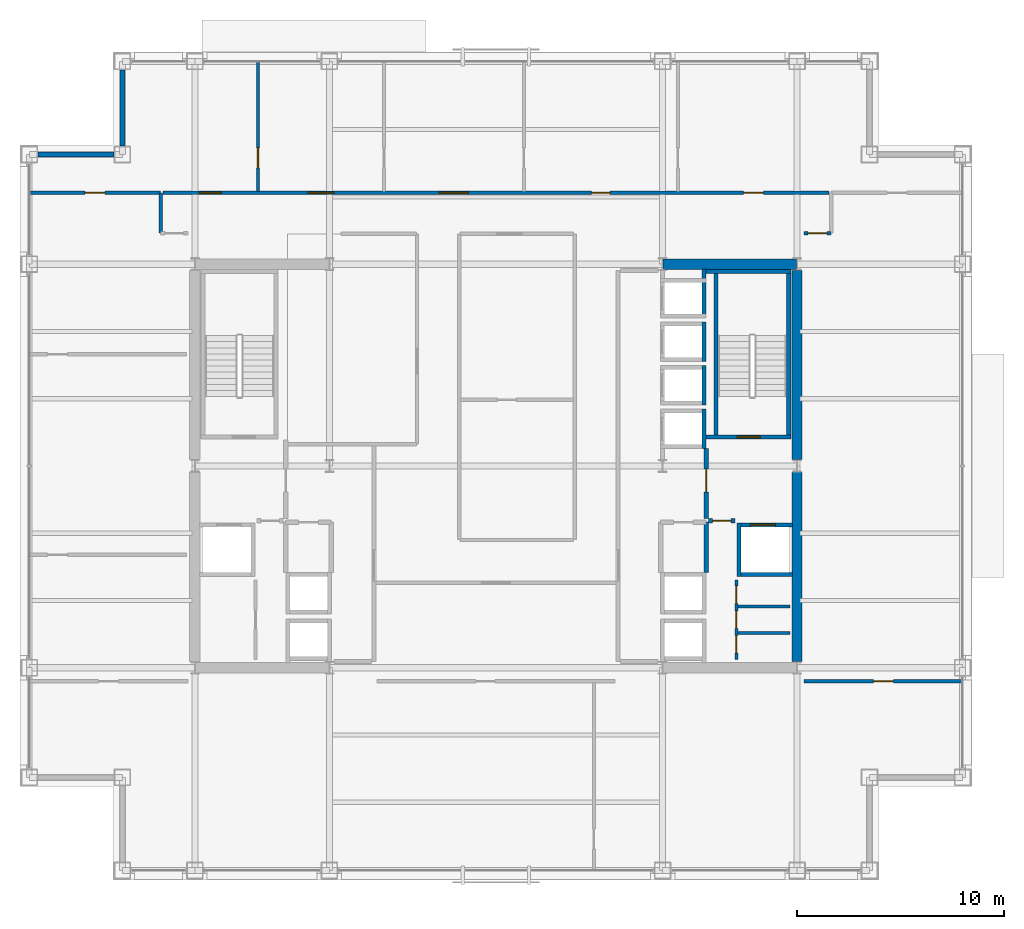
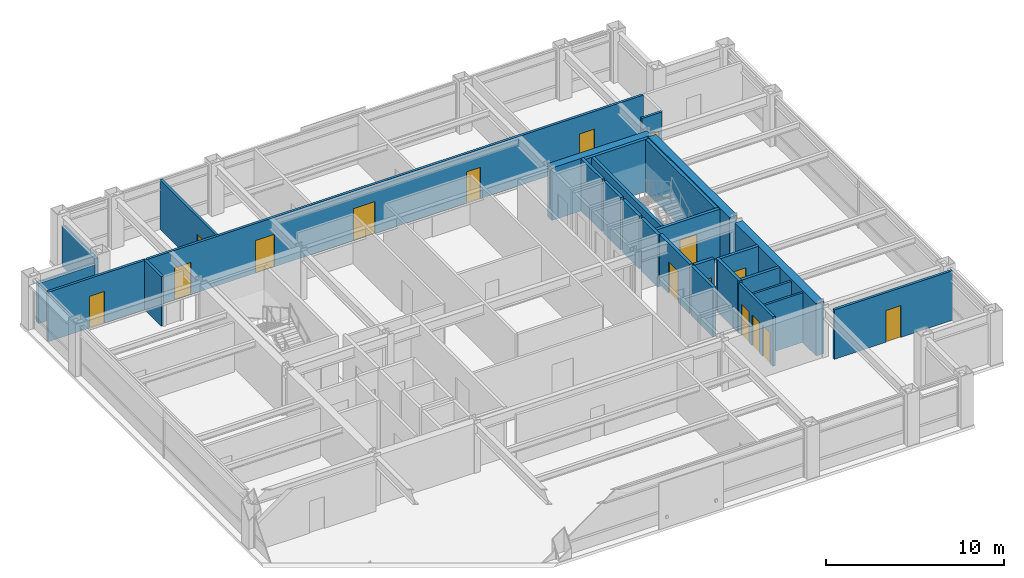
# One storey, part 26 of 28: 28 walls, 16 doors, 16 openings.
"""IFC4 building model written with IfcOpenShell, lengths in metres."""

from ifc_helpers import new_model, si_unit, direction, frame, frame_2d, origin, place, context, subcontext, project, spatial, rectangle, extrude, material, layer, layer_set, type_object, element, fill, save


model = new_model("IFC4")

# Units and contexts
model_context = context("Model", 3, precision=1e-05, world=origin(), true_north=direction((0.0, 1.0)))
body_context = subcontext(model_context, "Body", "Model", "MODEL_VIEW")
ifc_project = project(units=[si_unit("LENGTHUNIT", "METRE"), si_unit("AREAUNIT", "SQUARE_METRE"), si_unit("VOLUMEUNIT", "CUBIC_METRE"), si_unit("PLANEANGLEUNIT", "RADIAN"), si_unit("MASSUNIT", "GRAM", prefix="KILO")], contexts=[model_context])

# Site, building, storey
site_placement = place(None, origin())
site = spatial("IfcSite", under=ifc_project, at=site_placement, CompositionType="ELEMENT")
building_placement = place(site_placement, origin())
building = spatial("IfcBuilding", under=site, at=building_placement, Name="Brelmoor Portico Tower", CompositionType="ELEMENT")
storey_placement = place(building_placement, frame((0.0, 0.0, 142.199951171875)))
storey = spatial("IfcBuildingStorey", under=building, at=storey_placement, Name="L37", CompositionType="ELEMENT", Elevation=142.199951171875)

# Walls
ifc_material_1 = material(Name="Concrete C60", Category="concrete")
ifc_layer_1 = layer(ifc_material_1, 0.5)
ifc_layer_set_1 = layer_set([ifc_layer_1], Name="Concrete C60")
wall_type_1 = type_object("IfcWallType", Name="WL-CORE-500", PredefinedType="SHEAR", material=ifc_layer_set_1)
wall_1_placement = place(storey_placement, frame((8.070068359375, 9.75, -0.199951171875), z_axis=(0.0, 0.0, 1.0), x_axis=(1.0, 0.0, 0.0)))
element("IfcWall", 1, at=wall_1_placement, inside=storey, type_object=wall_type_1, Name="L37 EC North Shear Wall", PredefinedType="SHEAR", context=body_context, shape_type="SweptSolid", body=[
    extrude(rectangle(XDim=6.4599609375, YDim=0.5, at=frame_2d((3.22998046875, 0.0))), origin(), (0.0, 0.0, 1.0), 3.60009765625),
])
for number, where, z_axis, x_axis, name in (
    (2, (14.550048828125, -9.449951171875, -0.199951171875), (0.0, 0.0, 1.0), (0.0, 1.0, 0.0), "L37 EC Outer South Shear Wall"),
    (3, (14.550048828125, 0.300048828125, -0.199951171875), (0.0, 0.0, 1.0), (0.0, 1.0, 0.0), "L37 EC Outer North Shear Wall"),
):
    element("IfcWall", number, at=place(storey_placement, frame(where, z_axis=z_axis, x_axis=x_axis)), inside=storey, type_object=wall_type_1, Name=name, PredefinedType="SHEAR", context=body_context, shape_type="SweptSolid", body=[
        extrude(rectangle(XDim=9.14990234375, YDim=0.5, at=frame_2d((4.574951171875, 0.0))), origin(), (0.0, 0.0, 1.0), 3.60009765625),
    ])
ifc_material_2 = material(Name="Precast Concrete C40 Insulated Facade Wall", Category="concrete")
ifc_layer_2 = layer(ifc_material_2, 0.25)
ifc_layer_set_2 = layer_set([ifc_layer_2], Name="Precast Concrete C40 Insulated Facade Wall")
wall_type_2 = type_object("IfcWallType", Name="WL-EXT-250", PredefinedType="STANDARD", material=ifc_layer_set_2)
for number, where, z_axis, x_axis, name in (
    (4, (-22.139892578125, 15.050048828125, 0.0), (0.0, 0.0, 1.0), (1.0, 0.0, 0.0), "L37 Corner Notch Facade Wall NNWH1"),
    (5, (-18.050048828125, 15.4599609375, 0.0), (0.0, 0.0, 1.0), (0.0, 1.0, 0.0), "L37 Corner Notch Facade Wall NNWV1"),
):
    element("IfcWall", number, at=place(storey_placement, frame(where, z_axis=z_axis, x_axis=x_axis)), inside=storey, type_object=wall_type_2, Name=name, PredefinedType="STANDARD", context=body_context, shape_type="SweptSolid", body=[
        extrude(rectangle(XDim=3.679931640625, YDim=0.25, at=frame_2d((1.83984375, 0.0))), origin(), (0.0, 0.0, 1.0), 2.75),
    ])
ifc_material_3 = material(Name="Insulated Stud Suite Partition", Category="gypsum")
ifc_layer_3 = layer(ifc_material_3, 0.139892578125)
ifc_layer_set_3 = layer_set([ifc_layer_3], Name="Insulated Stud Suite Partition")
wall_type_3 = type_object("IfcWallType", Name="WL-PART-140", PredefinedType="PARTITIONING", material=ifc_layer_set_3)
for number, where, z_axis, x_axis, name in (
    (6, (11.699951171875, -8.066650390625, 0.0), (0.0, 0.0, 1.0), (1.0, 0.0, 0.0), "L37 E Core WC Divider 1"),
    (7, (11.699951171875, -6.783203125, 0.0), (0.0, 0.0, 1.0), (1.0, 0.0, 0.0), "L37 E Core WC Divider 2"),
):
    element("IfcWall", number, at=place(storey_placement, frame(where, z_axis=z_axis, x_axis=x_axis)), inside=storey, type_object=wall_type_3, Name=name, PredefinedType="PARTITIONING", context=body_context, shape_type="SweptSolid", body=[
        extrude(rectangle(XDim=2.5, YDim=0.139892578125, at=frame_2d((1.25, 0.0))), origin(), (0.0, 0.0, 1.0), 3.400146484375),
    ])

# Wall, openings, doors
ifc_material_4 = material(Name="Twin-Frame Acoustic Partition", Category="gypsum")
ifc_layer_4 = layer(ifc_material_4, 0.159912109375)
ifc_layer_set_4 = layer_set([ifc_layer_4], Name="Twin-Frame Acoustic Partition")
wall_type_4 = type_object("IfcWallType", Name="WL-PART-160", PredefinedType="PARTITIONING", material=ifc_layer_set_4)
wall_2_placement = place(storey_placement, frame((11.6201171875, -9.35009765625, 0.0), z_axis=(0.0, 0.0, 1.0), x_axis=(0.0, 1.0, 0.0)))
wall_2 = element("IfcWall", 8, at=wall_2_placement, inside=storey, type_object=wall_type_4, Name="L37 E Core Service Front Wall", PredefinedType="PARTITIONING", context=body_context, shape_type="SweptSolid", body=[
    extrude(rectangle(XDim=3.85009765625, YDim=0.159912109375, at=frame_2d((1.925048828125, 0.0))), origin(), (0.0, 0.0, 1.0), 3.400146484375),
])
opening_1_placement = place(wall_2_placement, frame((0.300048828125, 0.0, 0.0)))
opening_1 = element("IfcOpeningElement", 9, at=opening_1_placement, cuts=wall_2, Name="Opening D-WC1", PredefinedType="OPENING", context=body_context, shape_type="SweptSolid", body=[
    extrude(rectangle(XDim=0.85009765625, YDim=2.1201171875, at=frame_2d((0.425048828125, 1.06005859375))), frame((0.0, 0.08984375, 0.0), z_axis=(0.0, -1.0, 0.0), x_axis=(1.0, 0.0, 0.0)), (0.0, 0.0, 1.0), 0.179931640625),
])
opening_2_placement = place(wall_2_placement, frame((1.5, 0.0, 0.0)))
opening_2 = element("IfcOpeningElement", 10, at=opening_2_placement, cuts=wall_2, Name="Opening D-WC1", PredefinedType="OPENING", context=body_context, shape_type="SweptSolid", body=[
    extrude(rectangle(XDim=0.85009765625, YDim=2.1201171875, at=frame_2d((0.425048828125, 1.06005859375))), frame((0.0, 0.08984375, 0.0), z_axis=(0.0, -1.0, 0.0), x_axis=(1.0, 0.0, 0.0)), (0.0, 0.0, 1.0), 0.179931640625),
])
opening_3_placement = place(wall_2_placement, frame((2.699951171875, 0.0, 0.0)))
opening_3 = element("IfcOpeningElement", 11, at=opening_3_placement, cuts=wall_2, Name="Opening D-WC1", PredefinedType="OPENING", context=body_context, shape_type="SweptSolid", body=[
    extrude(rectangle(XDim=0.85009765625, YDim=2.1201171875, at=frame_2d((0.425048828125, 1.06005859375))), frame((0.0, 0.08984375, 0.0), z_axis=(0.0, -1.0, 0.0), x_axis=(1.0, 0.0, 0.0)), (0.0, 0.0, 1.0), 0.179931640625),
])
ifc_material_5 = material(Name="Moisture-Resistant Laminate WC Door", Category="timber")
door_type_1 = type_object("IfcDoorType", Name="DR-WC-850", OperationType="NOTDEFINED", PredefinedType="DOOR", material=ifc_material_5)
door_1_placement = place(opening_1_placement, origin())
door_1 = element("IfcDoor", 12, at=door_1_placement, inside=storey, type_object=door_type_1, Name="D-1603 L37 E Male WC Door", OperationType="SINGLE_SWING_RIGHT", OverallHeight=2.1201171875, OverallWidth=0.85009765625, PredefinedType="DOOR", context=body_context, shape_type="SweptSolid", body=[
    extrude(rectangle(XDim=0.85009765625, YDim=2.1201171875, at=frame_2d((0.425048828125, 1.06005859375))), frame((0.0, 0.02490234375, 0.0), z_axis=(0.0, -1.0, 0.0), x_axis=(1.0, 0.0, 0.0)), (0.0, 0.0, 1.0), 0.050048828125),
])
fill(opening_1, door_1)
door_2_placement = place(opening_2_placement, origin())
door_2 = element("IfcDoor", 13, at=door_2_placement, inside=storey, type_object=door_type_1, Name="D-1604 L37 E Female WC Door", OperationType="SINGLE_SWING_LEFT", OverallHeight=2.1201171875, OverallWidth=0.85009765625, PredefinedType="DOOR", context=body_context, shape_type="SweptSolid", body=[
    extrude(rectangle(XDim=0.85009765625, YDim=2.1201171875, at=frame_2d((0.425048828125, 1.06005859375))), frame((0.0, 0.02490234375, 0.0), z_axis=(0.0, -1.0, 0.0), x_axis=(1.0, 0.0, 0.0)), (0.0, 0.0, 1.0), 0.050048828125),
])
fill(opening_2, door_2)
door_3_placement = place(opening_3_placement, origin())
door_3 = element("IfcDoor", 14, at=door_3_placement, inside=storey, type_object=door_type_1, Name="D-1605 L37 E Janitor Store Door", OperationType="SINGLE_SWING_RIGHT", OverallHeight=2.1201171875, OverallWidth=0.85009765625, PredefinedType="DOOR", context=body_context, shape_type="SweptSolid", body=[
    extrude(rectangle(XDim=0.85009765625, YDim=2.1201171875, at=frame_2d((0.425048828125, 1.06005859375))), frame((0.0, 0.02490234375, 0.0), z_axis=(0.0, -1.0, 0.0), x_axis=(1.0, 0.0, 0.0)), (0.0, 0.0, 1.0), 0.050048828125),
])
fill(opening_3, door_3)

# Wall, opening, door
wall_3_placement = place(storey_placement, frame((-11.498779296875, 13.260009765625, 0.0), z_axis=(0.0, 0.0, 1.0), x_axis=(0.0, 1.0, 0.0)))
wall_3 = element("IfcWall", 15, at=wall_3_placement, inside=storey, type_object=wall_type_4, Name="L37 North Suite Partition 1", PredefinedType="PARTITIONING", context=body_context, shape_type="SweptSolid", body=[
    extrude(rectangle(XDim=6.300048828125, YDim=0.159912109375, at=frame_2d((3.14990234375, 0.0))), origin(), (0.0, 0.0, 1.0), 3.400146484375),
])
opening_4_placement = place(wall_3_placement, frame((1.14990234375, 0.0, 0.0)))
opening_4 = element("IfcOpeningElement", 16, at=opening_4_placement, cuts=wall_3, Name="Opening D-IN2", PredefinedType="OPENING", context=body_context, shape_type="SweptSolid", body=[
    extrude(rectangle(XDim=0.9599609375, YDim=2.179931640625, at=frame_2d((0.47998046875, 1.08984375))), frame((0.0, 0.08984375, 0.0), z_axis=(0.0, -1.0, 0.0), x_axis=(1.0, 0.0, 0.0)), (0.0, 0.0, 1.0), 0.179931640625),
])
ifc_material_6 = material(Name="Lacquered Timber Suite Door", Category="wood")
door_type_2 = type_object("IfcDoorType", Name="DR-INT-950", OperationType="NOTDEFINED", PredefinedType="DOOR", material=ifc_material_6)
door_4_placement = place(opening_4_placement, origin())
door_4 = element("IfcDoor", 17, at=door_4_placement, inside=storey, type_object=door_type_2, Name="D-1620 L37 North Suite Connecting Door 1", OperationType="SINGLE_SWING_RIGHT", OverallHeight=2.179931640625, OverallWidth=0.9599609375, PredefinedType="DOOR", context=body_context, shape_type="SweptSolid", body=[
    extrude(rectangle(XDim=0.9599609375, YDim=2.179931640625, at=frame_2d((0.47998046875, 1.08984375))), frame((0.0, 0.02490234375, 0.0), z_axis=(0.0, -1.0, 0.0), x_axis=(1.0, 0.0, 0.0)), (0.0, 0.0, 1.0), 0.050048828125),
])
fill(opening_4, door_4)

# Wall, openings, doors
wall_4_placement = place(storey_placement, frame((-16.10009765625, 13.199951171875, 0.0), z_axis=(0.0, 0.0, 1.0), x_axis=(1.0, 0.0, 0.0)))
wall_4 = element("IfcWall", 18, at=wall_4_placement, inside=storey, type_object=wall_type_4, Name="L37 North Corridor Partition", PredefinedType="PARTITIONING", context=body_context, shape_type="SweptSolid", body=[
    extrude(rectangle(XDim=32.2001953125, YDim=0.159912109375, at=frame_2d((16.10009765625, 0.0))), origin(), (0.0, 0.0, 1.0), 3.400146484375),
])
opening_5_placement = place(wall_4_placement, frame((1.7705078125, 0.0, 0.0)))
opening_5 = element("IfcOpeningElement", 19, at=opening_5_placement, cuts=wall_4, Name="Opening D-OF2", PredefinedType="OPENING", context=body_context, shape_type="SweptSolid", body=[
    extrude(rectangle(XDim=1.06005859375, YDim=2.199951171875, at=frame_2d((0.530029296875, 1.10009765625))), frame((0.0, 0.08984375, 0.0), z_axis=(0.0, -1.0, 0.0), x_axis=(1.0, 0.0, 0.0)), (0.0, 0.0, 1.0), 0.179931640625),
])
opening_6_placement = place(wall_4_placement, frame((7.02490234375, 0.0, 0.0)))
opening_6 = element("IfcOpeningElement", 20, at=opening_6_placement, cuts=wall_4, Name="Opening D-SU1", PredefinedType="OPENING", context=body_context, shape_type="SweptSolid", body=[
    extrude(rectangle(XDim=1.239990234375, YDim=2.239990234375, at=frame_2d((0.6201171875, 1.1201171875))), frame((0.0, 0.08984375, 0.0), z_axis=(0.0, -1.0, 0.0), x_axis=(1.0, 0.0, 0.0)), (0.0, 0.0, 1.0), 0.179931640625),
])
opening_7_placement = place(wall_4_placement, frame((13.370849609375, 0.0, 0.0)))
opening_7 = element("IfcOpeningElement", 21, at=opening_7_placement, cuts=wall_4, Name="Opening D-SU2", PredefinedType="OPENING", context=body_context, shape_type="SweptSolid", body=[
    extrude(rectangle(XDim=1.39990234375, YDim=2.199951171875, at=frame_2d((0.699951171875, 1.10009765625))), frame((0.0, 0.08984375, 0.0), z_axis=(0.0, -1.0, 0.0), x_axis=(1.0, 0.0, 0.0)), (0.0, 0.0, 1.0), 0.179931640625),
])
opening_8_placement = place(wall_4_placement, frame((20.722900390625, 0.0, 0.0)))
opening_8 = element("IfcOpeningElement", 22, at=opening_8_placement, cuts=wall_4, Name="Opening D-IN1", PredefinedType="OPENING", context=body_context, shape_type="SweptSolid", body=[
    extrude(rectangle(XDim=0.89990234375, YDim=2.14990234375, at=frame_2d((0.449951171875, 1.074951171875))), frame((0.0, 0.08984375, 0.0), z_axis=(0.0, -1.0, 0.0), x_axis=(1.0, 0.0, 0.0)), (0.0, 0.0, 1.0), 0.179931640625),
])
opening_9_placement = place(wall_4_placement, frame((28.066650390625, 0.0, 0.0)))
opening_9 = element("IfcOpeningElement", 23, at=opening_9_placement, cuts=wall_4, Name="Opening D-IN2", PredefinedType="OPENING", context=body_context, shape_type="SweptSolid", body=[
    extrude(rectangle(XDim=0.9599609375, YDim=2.179931640625, at=frame_2d((0.47998046875, 1.08984375))), frame((0.0, 0.08984375, 0.0), z_axis=(0.0, -1.0, 0.0), x_axis=(1.0, 0.0, 0.0)), (0.0, 0.0, 1.0), 0.179931640625),
])
door_type_3 = type_object("IfcDoorType", Name="DR-INT-900", OperationType="NOTDEFINED", PredefinedType="DOOR", material=ifc_material_6)
door_5_placement = place(opening_8_placement, origin())
door_5 = element("IfcDoor", 24, at=door_5_placement, inside=storey, type_object=door_type_3, Name="D-1618 L37 North First-Aid Consultation 4 Door", OperationType="SINGLE_SWING_RIGHT", OverallHeight=2.14990234375, OverallWidth=0.89990234375, PredefinedType="DOOR", context=body_context, shape_type="SweptSolid", body=[
    extrude(rectangle(XDim=0.89990234375, YDim=2.14990234375, at=frame_2d((0.449951171875, 1.074951171875))), frame((0.0, 0.02490234375, 0.0), z_axis=(0.0, -1.0, 0.0), x_axis=(1.0, 0.0, 0.0)), (0.0, 0.0, 1.0), 0.050048828125),
])
fill(opening_8, door_5)
door_6_placement = place(opening_9_placement, origin())
door_6 = element("IfcDoor", 25, at=door_6_placement, inside=storey, type_object=door_type_2, Name="D-1619 L37 North Project Mail Room 5 Door", OperationType="SINGLE_SWING_LEFT", OverallHeight=2.179931640625, OverallWidth=0.9599609375, PredefinedType="DOOR", context=body_context, shape_type="SweptSolid", body=[
    extrude(rectangle(XDim=0.9599609375, YDim=2.179931640625, at=frame_2d((0.47998046875, 1.08984375))), frame((0.0, 0.02490234375, 0.0), z_axis=(0.0, -1.0, 0.0), x_axis=(1.0, 0.0, 0.0)), (0.0, 0.0, 1.0), 0.050048828125),
])
fill(opening_9, door_6)
ifc_material_7 = material(Name="Hardwood Acoustic Veneer Door", Category="wood")
door_type_4 = type_object("IfcDoorType", Name="DR-OFFICE-1050", OperationType="NOTDEFINED", PredefinedType="DOOR", material=ifc_material_7)
door_7_placement = place(opening_5_placement, origin())
door_7 = element("IfcDoor", 26, at=door_7_placement, inside=storey, type_object=door_type_4, Name="D-1615 L37 North Open-Plan Office 1 Door", OperationType="SINGLE_SWING_RIGHT", OverallHeight=2.199951171875, OverallWidth=1.06005859375, PredefinedType="DOOR", context=body_context, shape_type="SweptSolid", body=[
    extrude(rectangle(XDim=1.06005859375, YDim=2.199951171875, at=frame_2d((0.530029296875, 1.10009765625))), frame((0.0, 0.02490234375, 0.0), z_axis=(0.0, -1.0, 0.0), x_axis=(1.0, 0.0, 0.0)), (0.0, 0.0, 1.0), 0.050048828125),
])
fill(opening_5, door_7)
ifc_material_8 = material(Name="Glazed Timber Executive Suite Door", Category="wood")
door_type_5 = type_object("IfcDoorType", Name="DR-SUITE-1200", OperationType="NOTDEFINED", PredefinedType="DOOR", material=ifc_material_8)
door_8_placement = place(opening_6_placement, origin())
door_8 = element("IfcDoor", 27, at=door_8_placement, inside=storey, type_object=door_type_5, Name="D-1616 L37 North Partner Office 2 Door", OperationType="SINGLE_SWING_LEFT", OverallHeight=2.239990234375, OverallWidth=1.239990234375, PredefinedType="DOOR", context=body_context, shape_type="SweptSolid", body=[
    extrude(rectangle(XDim=1.239990234375, YDim=2.239990234375, at=frame_2d((0.6201171875, 1.1201171875))), frame((0.0, 0.02490234375, 0.0), z_axis=(0.0, -1.0, 0.0), x_axis=(1.0, 0.0, 0.0)), (0.0, 0.0, 1.0), 0.050048828125),
])
fill(opening_6, door_8)
ifc_material_9 = material(Name="Double-Leaf Acoustic Suite Door", Category="timber")
door_type_6 = type_object("IfcDoorType", Name="DR-SUITE-1400", OperationType="NOTDEFINED", PredefinedType="DOOR", material=ifc_material_9)
door_9_placement = place(opening_7_placement, origin())
door_9 = element("IfcDoor", 28, at=door_9_placement, inside=storey, type_object=door_type_6, Name="D-1617 L37 North Cellular Office 3 Door", OperationType="DOUBLE_DOOR_SINGLE_SWING", OverallHeight=2.199951171875, OverallWidth=1.39990234375, PredefinedType="DOOR", context=body_context, shape_type="SweptSolid", body=[
    extrude(rectangle(XDim=1.39990234375, YDim=2.199951171875, at=frame_2d((0.699951171875, 1.10009765625))), frame((0.0, 0.02490234375, 0.0), z_axis=(0.0, -1.0, 0.0), x_axis=(1.0, 0.0, 0.0)), (0.0, 0.0, 1.0), 0.050048828125),
])
fill(opening_7, door_9)

# Wall, opening, door
wall_5_placement = place(storey_placement, frame((-22.56005859375, 13.199951171875, 0.0), z_axis=(0.0, 0.0, 1.0), x_axis=(1.0, 0.0, 0.0)))
wall_5 = element("IfcWall", 29, at=wall_5_placement, inside=storey, type_object=wall_type_4, Name="L37 North Wing Closure WL", PredefinedType="PARTITIONING", context=body_context, shape_type="SweptSolid", body=[
    extrude(rectangle(XDim=6.360107421875, YDim=0.159912109375, at=frame_2d((3.18017578125, 0.0))), origin(), (0.0, 0.0, 1.0), 3.400146484375),
])
opening_10_placement = place(wall_5_placement, frame((2.699951171875, 0.0, 0.0)))
opening_10 = element("IfcOpeningElement", 30, at=opening_10_placement, cuts=wall_5, Name="Opening D-IN2", PredefinedType="OPENING", context=body_context, shape_type="SweptSolid", body=[
    extrude(rectangle(XDim=0.9599609375, YDim=2.179931640625, at=frame_2d((0.47998046875, 1.08984375))), frame((0.0, 0.08984375, 0.0), z_axis=(0.0, -1.0, 0.0), x_axis=(1.0, 0.0, 0.0)), (0.0, 0.0, 1.0), 0.179931640625),
])
door_10_placement = place(opening_10_placement, origin())
door_10 = element("IfcDoor", 31, at=door_10_placement, inside=storey, type_object=door_type_2, Name="D-1625 L37 WL Wing North Suite Door", OperationType="SINGLE_SWING_RIGHT", OverallHeight=2.179931640625, OverallWidth=0.9599609375, PredefinedType="DOOR", context=body_context, shape_type="SweptSolid", body=[
    extrude(rectangle(XDim=0.9599609375, YDim=2.179931640625, at=frame_2d((0.47998046875, 1.08984375))), frame((0.0, 0.02490234375, 0.0), z_axis=(0.0, -1.0, 0.0), x_axis=(1.0, 0.0, 0.0)), (0.0, 0.0, 1.0), 0.050048828125),
])
fill(opening_10, door_10)

wall_6_placement = place(storey_placement, frame((14.8798828125, -10.39990234375, 0.0), z_axis=(0.0, 0.0, 1.0), x_axis=(1.0, 0.0, 0.0)))
wall_6 = element("IfcWall", 32, at=wall_6_placement, inside=storey, type_object=wall_type_4, Name="L37 South Wing Closure ER", PredefinedType="PARTITIONING", context=body_context, shape_type="SweptSolid", body=[
    extrude(rectangle(XDim=7.68017578125, YDim=0.159912109375, at=frame_2d((3.840087890625, 0.0))), origin(), (0.0, 0.0, 1.0), 3.400146484375),
])
opening_11_placement = place(wall_6_placement, frame((3.360107421875, 0.0, 0.0)))
opening_11 = element("IfcOpeningElement", 33, at=opening_11_placement, cuts=wall_6, Name="Opening D-IN2", PredefinedType="OPENING", context=body_context, shape_type="SweptSolid", body=[
    extrude(rectangle(XDim=0.9599609375, YDim=2.179931640625, at=frame_2d((0.47998046875, 1.08984375))), frame((0.0, 0.08984375, 0.0), z_axis=(0.0, -1.0, 0.0), x_axis=(1.0, 0.0, 0.0)), (0.0, 0.0, 1.0), 0.179931640625),
])
door_11_placement = place(opening_11_placement, origin())
door_11 = element("IfcDoor", 34, at=door_11_placement, inside=storey, type_object=door_type_2, Name="D-1631 L37 ER Wing South Suite Door", OperationType="SINGLE_SWING_LEFT", OverallHeight=2.179931640625, OverallWidth=0.9599609375, PredefinedType="DOOR", context=body_context, shape_type="SweptSolid", body=[
    extrude(rectangle(XDim=0.9599609375, YDim=2.179931640625, at=frame_2d((0.47998046875, 1.08984375))), frame((0.0, 0.02490234375, 0.0), z_axis=(0.0, -1.0, 0.0), x_axis=(1.0, 0.0, 0.0)), (0.0, 0.0, 1.0), 0.050048828125),
])
fill(opening_11, door_11)

# Wall
wall_7_placement = place(storey_placement, frame((-16.199951171875, 11.25, 0.0), z_axis=(0.0, 0.0, 1.0), x_axis=(0.0, 1.0, 0.0)))
element("IfcWall", 35, at=wall_7_placement, inside=storey, type_object=wall_type_4, Name="L37 W Corridor End Closure", PredefinedType="PARTITIONING", context=body_context, shape_type="SweptSolid", body=[
    extrude(rectangle(XDim=1.949951171875, YDim=0.159912109375, at=frame_2d((0.97509765625, 0.0))), origin(), (0.0, 0.0, 1.0), 3.400146484375),
])

# Wall, opening, door
wall_8_placement = place(storey_placement, frame((14.8798828125, 11.25, 0.0), z_axis=(0.0, 0.0, 1.0), x_axis=(1.0, 0.0, 0.0)))
wall_8 = element("IfcWall", 36, at=wall_8_placement, inside=storey, type_object=wall_type_4, Name="L37 E Wing North Entry Wall", PredefinedType="PARTITIONING", context=body_context, shape_type="SweptSolid", body=[
    extrude(rectangle(XDim=1.320068359375, YDim=0.159912109375, at=frame_2d((0.66015625, 0.0))), origin(), (0.0, 0.0, 1.0), 3.400146484375),
])
opening_12_placement = place(wall_8_placement, frame((0.2099609375, 0.0, 0.0)))
opening_12 = element("IfcOpeningElement", 37, at=opening_12_placement, cuts=wall_8, Name="Opening D-IN1", PredefinedType="OPENING", context=body_context, shape_type="SweptSolid", body=[
    extrude(rectangle(XDim=0.89990234375, YDim=2.14990234375, at=frame_2d((0.449951171875, 1.074951171875))), frame((0.0, 0.08984375, 0.0), z_axis=(0.0, -1.0, 0.0), x_axis=(1.0, 0.0, 0.0)), (0.0, 0.0, 1.0), 0.179931640625),
])
door_12_placement = place(opening_12_placement, origin())
door_12 = element("IfcDoor", 38, at=door_12_placement, inside=storey, type_object=door_type_3, Name="D-1633 L37 E Wing Entry Door", OperationType="SINGLE_SWING_LEFT", OverallHeight=2.14990234375, OverallWidth=0.89990234375, PredefinedType="DOOR", context=body_context, shape_type="SweptSolid", body=[
    extrude(rectangle(XDim=0.89990234375, YDim=2.14990234375, at=frame_2d((0.449951171875, 1.074951171875))), frame((0.0, 0.02490234375, 0.0), z_axis=(0.0, -1.0, 0.0), x_axis=(1.0, 0.0, 0.0)), (0.0, 0.0, 1.0), 0.050048828125),
])
fill(opening_12, door_12)

ifc_material_10 = material(Name="Double-Stud Gypsum Fire Partition", Category="gypsum")
ifc_layer_5 = layer(ifc_material_10, 0.199951171875)
ifc_layer_set_5 = layer_set([ifc_layer_5], Name="Double-Stud Gypsum Fire Partition")
wall_type_5 = type_object("IfcWallType", Name="WL-PART-200", PredefinedType="PARTITIONING", material=ifc_layer_set_5)
wall_9_placement = place(storey_placement, frame((10.159912109375, -2.550048828125, 0.0), z_axis=(0.0, 0.0, 1.0), x_axis=(0.0, 1.0, 0.0)))
wall_9 = element("IfcWall", 39, at=wall_9_placement, inside=storey, type_object=wall_type_5, Name="L37 E Firefighting Lobby Wall", PredefinedType="PARTITIONING", context=body_context, shape_type="SweptSolid", body=[
    extrude(rectangle(XDim=3.400146484375, YDim=0.199951171875, at=frame_2d((1.7001953125, 0.0))), origin(), (0.0, 0.0, 1.0), 3.400146484375),
])
opening_13_placement = place(wall_9_placement, frame((1.300048828125, 0.0, 0.0)))
opening_13 = element("IfcOpeningElement", 40, at=opening_13_placement, cuts=wall_9, Name="Opening D-FR1", PredefinedType="OPENING", context=body_context, shape_type="SweptSolid", body=[
    extrude(rectangle(XDim=1.10009765625, YDim=2.14990234375, at=frame_2d((0.550048828125, 1.074951171875))), frame((0.0, 0.10986328125, 0.0), z_axis=(0.0, -1.0, 0.0), x_axis=(1.0, 0.0, 0.0)), (0.0, 0.0, 1.0), 0.219970703125),
])
ifc_material_11 = material(Name="Painted Galvanised Steel Fire Door", Category="steel")
door_type_7 = type_object("IfcDoorType", Name="DR-FIRE-1100", OperationType="NOTDEFINED", PredefinedType="DOOR", material=ifc_material_11)
door_13_placement = place(opening_13_placement, origin())
door_13 = element("IfcDoor", 41, at=door_13_placement, inside=storey, type_object=door_type_7, Name="D-1611 L37 E Firefighting Lobby Door", OperationType="SINGLE_SWING_LEFT", OverallHeight=2.14990234375, OverallWidth=1.10009765625, PredefinedType="DOOR", context=body_context, shape_type="SweptSolid", body=[
    extrude(rectangle(XDim=1.10009765625, YDim=2.14990234375, at=frame_2d((0.550048828125, 1.074951171875))), frame((0.0, 0.02490234375, 0.0), z_axis=(0.0, -1.0, 0.0), x_axis=(1.0, 0.0, 0.0)), (0.0, 0.0, 1.0), 0.050048828125),
])
fill(opening_13, door_13)

wall_10_placement = place(storey_placement, frame((10.280029296875, -2.64990234375, 0.0), z_axis=(0.0, 0.0, 1.0), x_axis=(1.0, 0.0, 0.0)))
wall_10 = element("IfcWall", 42, at=wall_10_placement, inside=storey, type_object=wall_type_5, Name="L37 E Firefighting Lobby South Wall", PredefinedType="PARTITIONING", context=body_context, shape_type="SweptSolid", body=[
    extrude(rectangle(XDim=1.27001953125, YDim=0.199951171875, at=frame_2d((0.635009765625, 0.0))), origin(), (0.0, 0.0, 1.0), 3.400146484375),
])
opening_14_placement = place(wall_10_placement, frame((0.18505859375, 0.0, 0.0)))
opening_14 = element("IfcOpeningElement", 43, at=opening_14_placement, cuts=wall_10, Name="Opening D-IN1", PredefinedType="OPENING", context=body_context, shape_type="SweptSolid", body=[
    extrude(rectangle(XDim=0.89990234375, YDim=2.14990234375, at=frame_2d((0.449951171875, 1.074951171875))), frame((0.0, 0.10986328125, 0.0), z_axis=(0.0, -1.0, 0.0), x_axis=(1.0, 0.0, 0.0)), (0.0, 0.0, 1.0), 0.219970703125),
])
door_14_placement = place(opening_14_placement, origin())
door_14 = element("IfcDoor", 44, at=door_14_placement, inside=storey, type_object=door_type_3, Name="D-1606 L37 E Core Service Vestibule Door", OperationType="SINGLE_SWING_RIGHT", OverallHeight=2.14990234375, OverallWidth=0.89990234375, PredefinedType="DOOR", context=body_context, shape_type="SweptSolid", body=[
    extrude(rectangle(XDim=0.89990234375, YDim=2.14990234375, at=frame_2d((0.449951171875, 1.074951171875))), frame((0.0, 0.02490234375, 0.0), z_axis=(0.0, -1.0, 0.0), x_axis=(1.0, 0.0, 0.0)), (0.0, 0.0, 1.0), 0.050048828125),
])
fill(opening_14, door_14)

# Walls
wall_11_placement = place(storey_placement, frame((10.159912109375, -5.159912109375, 0.0), z_axis=(0.0, 0.0, 1.0), x_axis=(0.0, 1.0, 0.0)))
element("IfcWall", 45, at=wall_11_placement, inside=storey, type_object=wall_type_5, Name="L37 E Electrical Switchgear Closet Outer Wall", PredefinedType="PARTITIONING", context=body_context, shape_type="SweptSolid", body=[
    extrude(rectangle(XDim=2.43994140625, YDim=0.199951171875, at=frame_2d((1.219970703125, 0.0))), origin(), (0.0, 0.0, 1.0), 3.400146484375),
])
ifc_material_12 = material(Name="Precast Concrete C40", Category="concrete")
ifc_layer_6 = layer(ifc_material_12, 0.18994140625)
ifc_layer_set_6 = layer_set([ifc_layer_6], Name="Precast Concrete C40")
wall_type_6 = type_object("IfcWallType", Name="WL-SHAFT-180", PredefinedType="SOLIDWALL", material=ifc_layer_set_6)
wall_12_placement = place(storey_placement, frame((10.054931640625, 0.85009765625, -0.199951171875), z_axis=(0.0, 0.0, 1.0), x_axis=(0.0, 1.0, 0.0)))
element("IfcWall", 46, at=wall_12_placement, inside=storey, type_object=wall_type_6, Name="L37 Lift PM1 Hoistway Back Wall", PredefinedType="SOLIDWALL", context=body_context, shape_type="SweptSolid", body=[
    extrude(rectangle(XDim=1.89990234375, YDim=0.18994140625, at=frame_2d((0.949951171875, 0.0))), origin(), (0.0, 0.0, 1.0), 3.60009765625),
])
wall_13_placement = place(storey_placement, frame((10.054931640625, 2.949951171875, -0.199951171875), z_axis=(0.0, 0.0, 1.0), x_axis=(0.0, 1.0, 0.0)))
element("IfcWall", 47, at=wall_13_placement, inside=storey, type_object=wall_type_6, Name="L37 Lift PM2 Hoistway Back Wall", PredefinedType="SOLIDWALL", context=body_context, shape_type="SweptSolid", body=[
    extrude(rectangle(XDim=1.900146484375, YDim=0.18994140625, at=frame_2d((0.9501953125, 0.0))), origin(), (0.0, 0.0, 1.0), 3.60009765625),
])
wall_14_placement = place(storey_placement, frame((10.054931640625, 5.050048828125, -0.199951171875), z_axis=(0.0, 0.0, 1.0), x_axis=(0.0, 1.0, 0.0)))
element("IfcWall", 48, at=wall_14_placement, inside=storey, type_object=wall_type_6, Name="L37 Lift PM3 Hoistway Back Wall", PredefinedType="SOLIDWALL", context=body_context, shape_type="SweptSolid", body=[
    extrude(rectangle(XDim=1.89990234375, YDim=0.18994140625, at=frame_2d((0.949951171875, 0.0))), origin(), (0.0, 0.0, 1.0), 3.60009765625),
])
wall_15_placement = place(storey_placement, frame((10.054931640625, 7.14990234375, -0.199951171875), z_axis=(0.0, 0.0, 1.0), x_axis=(0.0, 1.0, 0.0)))
element("IfcWall", 49, at=wall_15_placement, inside=storey, type_object=wall_type_6, Name="L37 Lift PM4 Hoistway Back Wall", PredefinedType="SOLIDWALL", context=body_context, shape_type="SweptSolid", body=[
    extrude(rectangle(XDim=2.3701171875, YDim=0.18994140625, at=frame_2d((1.18505859375, 0.0))), origin(), (0.0, 0.0, 1.0), 3.60009765625),
])

# Wall, opening, door
wall_16_placement = place(storey_placement, frame((11.64990234375, -2.844970703125, -0.199951171875), z_axis=(0.0, 0.0, 1.0), x_axis=(1.0, 0.0, 0.0)))
wall_16 = element("IfcWall", 50, at=wall_16_placement, inside=storey, type_object=wall_type_6, Name="L37 Lift FF2 Hoistway Front Wall", PredefinedType="SOLIDWALL", context=body_context, shape_type="SweptSolid", body=[
    extrude(rectangle(XDim=2.68017578125, YDim=0.18994140625, at=frame_2d((1.340087890625, 0.0))), origin(), (0.0, 0.0, 1.0), 3.60009765625),
])
opening_15_placement = place(wall_16_placement, frame((0.64990234375, 0.0, 0.199951171875)))
opening_15 = element("IfcOpeningElement", 51, at=opening_15_placement, cuts=wall_16, Name="Opening LD-02", PredefinedType="OPENING", context=body_context, shape_type="SweptSolid", body=[
    extrude(rectangle(XDim=1.199951171875, YDim=2.199951171875, at=frame_2d((0.60009765625, 1.10009765625))), frame((0.0, 0.10498046875, 0.0), z_axis=(0.0, -1.0, 0.0), x_axis=(1.0, 0.0, 0.0)), (0.0, 0.0, 1.0), 0.2099609375),
])
ifc_material_13 = material(Name="Brushed Stainless Steel Firefighting Lift Door", Category="steel")
door_type_8 = type_object("IfcDoorType", Name="DR-LIFT-1200", OperationType="NOTDEFINED", PredefinedType="DOOR", material=ifc_material_13)
door_15_placement = place(opening_15_placement, origin())
door_15 = element("IfcDoor", 52, at=door_15_placement, inside=storey, type_object=door_type_8, Name="D-1638 L37 Lift FF2 Sliding Landing Door", OperationType="SLIDING_TO_LEFT", OverallHeight=2.199951171875, OverallWidth=1.199951171875, PredefinedType="DOOR", context=body_context, shape_type="SweptSolid", body=[
    extrude(rectangle(XDim=1.199951171875, YDim=2.199951171875, at=frame_2d((0.60009765625, 1.10009765625))), frame((0.0, 0.02490234375, 0.0), z_axis=(0.0, -1.0, 0.0), x_axis=(1.0, 0.0, 0.0)), (0.0, 0.0, 1.0), 0.050048828125),
])
fill(opening_15, door_15)

# Walls
wall_17_placement = place(storey_placement, frame((11.64990234375, -5.2548828125, -0.199951171875), z_axis=(0.0, 0.0, 1.0), x_axis=(1.0, 0.0, 0.0)))
element("IfcWall", 53, at=wall_17_placement, inside=storey, type_object=wall_type_6, Name="L37 Firefighting Lift FF2 South Wall", PredefinedType="SOLIDWALL", context=body_context, shape_type="SweptSolid", body=[
    extrude(rectangle(XDim=2.68017578125, YDim=0.18994140625, at=frame_2d((1.340087890625, 0.0))), origin(), (0.0, 0.0, 1.0), 3.60009765625),
])
wall_18_placement = place(storey_placement, frame((11.7451171875, -5.35009765625, -0.199951171875), z_axis=(0.0, 0.0, 1.0), x_axis=(0.0, 1.0, 0.0)))
element("IfcWall", 54, at=wall_18_placement, inside=storey, type_object=wall_type_6, Name="L37 Firefighting Lift FF2 Inner Wall", PredefinedType="SOLIDWALL", context=body_context, shape_type="SweptSolid", body=[
    extrude(rectangle(XDim=2.60009765625, YDim=0.18994140625, at=frame_2d((1.300048828125, 0.0))), origin(), (0.0, 0.0, 1.0), 3.60009765625),
])
ifc_material_14 = material(Name="Concrete C40", Category="concrete")
ifc_layer_7 = layer(ifc_material_14, 0.199951171875)
ifc_layer_set_7 = layer_set([ifc_layer_7], Name="Concrete C40")
wall_type_7 = type_object("IfcWallType", Name="WL-SHAFT-RC200", PredefinedType="SOLIDWALL", material=ifc_layer_set_7)
wall_19_placement = place(storey_placement, frame((14.14990234375, 1.5, -0.199951171875), z_axis=(0.0, 0.0, 1.0), x_axis=(0.0, 1.0, 0.0)))
element("IfcWall", 55, at=wall_19_placement, inside=storey, type_object=wall_type_7, Name="L37 ST-E Structural Stair Wall Outer", PredefinedType="SOLIDWALL", context=body_context, shape_type="SweptSolid", body=[
    extrude(rectangle(XDim=7.800048828125, YDim=0.199951171875, at=frame_2d((3.89990234375, 0.0))), origin(), (0.0, 0.0, 1.0), 3.60009765625),
])

# Wall, opening, door
wall_20_placement = place(storey_placement, frame((10.14990234375, 1.39990234375, -0.199951171875), z_axis=(0.0, 0.0, 1.0), x_axis=(1.0, 0.0, 0.0)))
wall_20 = element("IfcWall", 56, at=wall_20_placement, inside=storey, type_object=wall_type_7, Name="L37 ST-E Structural Stair Wall S", PredefinedType="SOLIDWALL", context=body_context, shape_type="SweptSolid", body=[
    extrude(rectangle(XDim=4.10009765625, YDim=0.199951171875, at=frame_2d((2.050048828125, 0.0))), origin(), (0.0, 0.0, 1.0), 3.60009765625),
])
opening_16_placement = place(wall_20_placement, frame((1.5, 0.0, 0.199951171875)))
opening_16 = element("IfcOpeningElement", 57, at=opening_16_placement, cuts=wall_20, Name="Opening D-ST1", PredefinedType="OPENING", context=body_context, shape_type="SweptSolid", body=[
    extrude(rectangle(XDim=1.1201171875, YDim=2.179931640625, at=frame_2d((0.56005859375, 1.08984375))), frame((0.0, 0.10986328125, 0.0), z_axis=(0.0, -1.0, 0.0), x_axis=(1.0, 0.0, 0.0)), (0.0, 0.0, 1.0), 0.219970703125),
])
door_type_9 = type_object("IfcDoorType", Name="DR-STAIR-1100", OperationType="NOTDEFINED", PredefinedType="DOOR", material=ifc_material_11)
door_16_placement = place(opening_16_placement, origin())
door_16 = element("IfcDoor", 58, at=door_16_placement, inside=storey, type_object=door_type_9, Name="D-1629 L37 ST-E Protected Exit Stair Door", OperationType="SINGLE_SWING_RIGHT", OverallHeight=2.179931640625, OverallWidth=1.1201171875, PredefinedType="DOOR", context=body_context, shape_type="SweptSolid", body=[
    extrude(rectangle(XDim=1.1201171875, YDim=2.179931640625, at=frame_2d((0.56005859375, 1.08984375))), frame((0.0, 0.02490234375, 0.0), z_axis=(0.0, -1.0, 0.0), x_axis=(1.0, 0.0, 0.0)), (0.0, 0.0, 1.0), 0.050048828125),
])
fill(opening_16, door_16)

# Walls
wall_21_placement = place(storey_placement, frame((10.14990234375, 9.39990234375, -0.199951171875), z_axis=(0.0, 0.0, 1.0), x_axis=(1.0, 0.0, 0.0)))
element("IfcWall", 59, at=wall_21_placement, inside=storey, type_object=wall_type_7, Name="L37 ST-E Structural Stair Wall N", PredefinedType="SOLIDWALL", context=body_context, shape_type="SweptSolid", body=[
    extrude(rectangle(XDim=4.10009765625, YDim=0.199951171875, at=frame_2d((2.050048828125, 0.0))), origin(), (0.0, 0.0, 1.0), 3.60009765625),
])
wall_22_placement = place(storey_placement, frame((10.6298828125, 1.5, -0.199951171875), z_axis=(0.0, 0.0, 1.0), x_axis=(0.0, 1.0, 0.0)))
element("IfcWall", 60, at=wall_22_placement, inside=storey, type_object=wall_type_7, Name="L37 ST-E Structural Stair Wall Inner", PredefinedType="SOLIDWALL", context=body_context, shape_type="SweptSolid", body=[
    extrude(rectangle(XDim=7.800048828125, YDim=0.199951171875, at=frame_2d((3.89990234375, 0.0))), origin(), (0.0, 0.0, 1.0), 3.60009765625),
])

save(model, "model.ifc")
